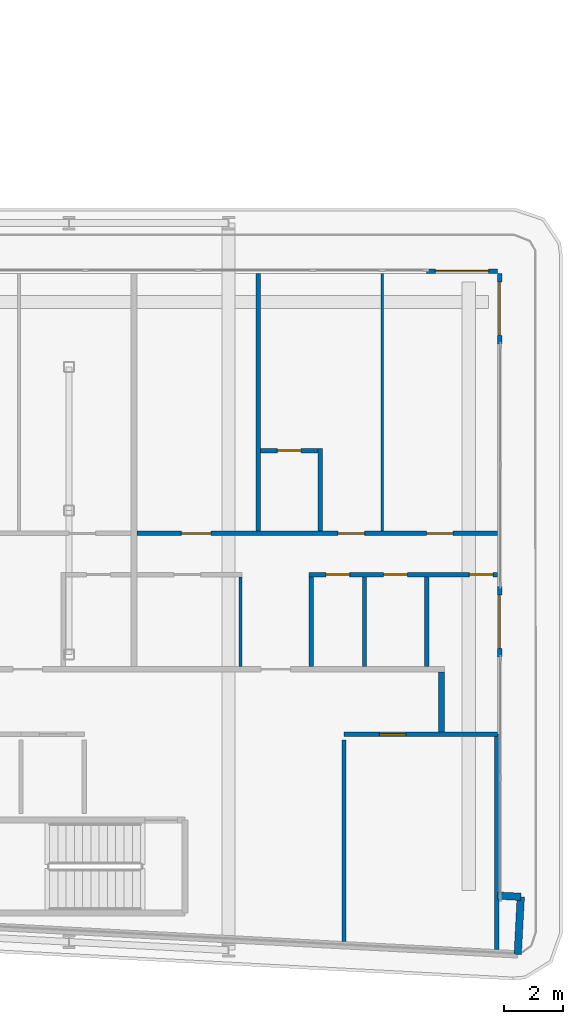
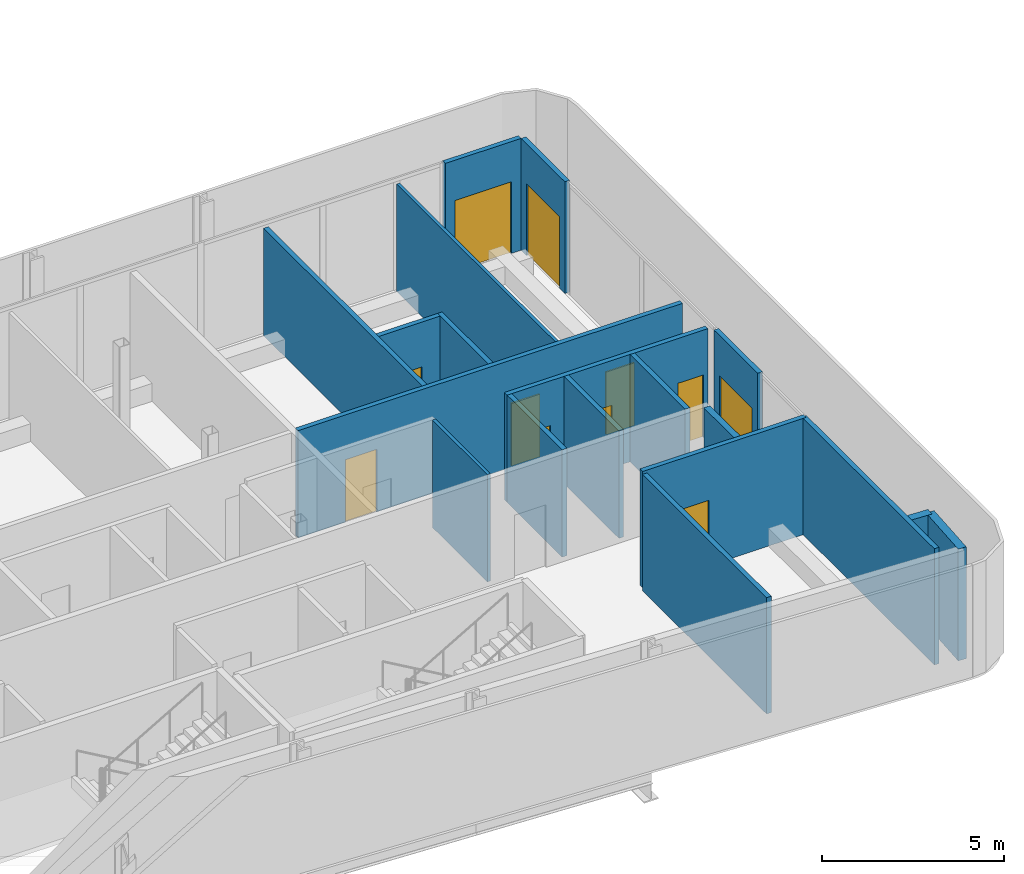
# One storey, part 19 of 27: 19 walls, 11 doors, 11 openings.
"""IFC4 building model written with IfcOpenShell, lengths in metres."""

import ifcopenshell
import ifcopenshell.guid

model = None  # the IFC model being written
_history = None  # IfcOwnerHistory: only IFC2X3 demands one
_inside = {}  # id of a spatial element -> (the spatial element, [elements in it])
_under = {}  # id of a project, library or spatial element -> (it, [spatial elements below it])
_declared = {}  # id of a project -> (the project, [libraries it declares])
_typed = {}  # id of a type object -> (the type object, [elements of that type])
_made_of = {}  # id of a material, layer set ... -> (it, [elements and type objects made of it])


def new_model(schema):
    """Start an empty IFC model of exactly this schema.

    Asked for "IFC4X3", IfcOpenShell would pick the latest addendum, in which some entities
    have other attributes; the version numbers below select the first issue.
    IFC2X3 requires an IfcOwnerHistory on every rooted entity: one is made here for all.
    """
    global model, _history
    if schema == "IFC4X3":
        model = ifcopenshell.file(schema_version=(4, 3, 0, 0))
    else:
        model = ifcopenshell.file(schema=schema)
    _inside.clear()
    _under.clear()
    _declared.clear()
    _typed.clear()
    _made_of.clear()
    _history = None
    if model.schema == "IFC2X3":
        org = make("IfcOrganization", Name="unknown")
        user = make(
            "IfcPersonAndOrganization",
            ThePerson=make("IfcPerson", FamilyName="unknown"),
            TheOrganization=org,
        )
        app = make(
            "IfcApplication",
            ApplicationDeveloper=org,
            Version="unknown",
            ApplicationFullName="unknown",
            ApplicationIdentifier="unknown",
        )
        _history = make(
            "IfcOwnerHistory",
            OwningUser=user,
            OwningApplication=app,
            ChangeAction="ADDED",
            CreationDate=0,
        )
    return model


def make(cls, **values):
    """One entity of the class cls with the attributes given. An attribute that is None is left unset."""
    return model.create_entity(
        cls, **{name: value for name, value in values.items() if value is not None}
    )


def rooted(cls, **values):
    """An entity with a GlobalId (a new one), such as an element, a storey or a relation."""
    return make(cls, GlobalId=ifcopenshell.guid.new(), OwnerHistory=_history, **values)


def si_unit(unit_type, name, prefix=None):
    """IfcSIUnit, for example si_unit("LENGTHUNIT", "METRE", prefix="MILLI")."""
    return make("IfcSIUnit", UnitType=unit_type, Prefix=prefix, Name=name)


def assignment(units):
    """IfcUnitAssignment: the units of a project."""
    return None if units is None else make("IfcUnitAssignment", Units=units)


def point(xyz):
    """IfcCartesianPoint."""
    return None if xyz is None else make("IfcCartesianPoint", Coordinates=xyz)


def direction(xyz):
    """IfcDirection."""
    return None if xyz is None else make("IfcDirection", DirectionRatios=xyz)


def frame(location, z_axis=None, x_axis=None):
    """IfcAxis2Placement3D, a coordinate frame: its origin and axes. An axis left out is left unset."""
    return make(
        "IfcAxis2Placement3D",
        Location=point(location),
        Axis=direction(z_axis),
        RefDirection=direction(x_axis),
    )


def frame_2d(location, x_axis=None):
    """IfcAxis2Placement2D, a coordinate frame in the plane: its origin and x axis."""
    return make(
        "IfcAxis2Placement2D", Location=point(location), RefDirection=direction(x_axis)
    )


def origin():
    """The frame at (0, 0, 0) with its axes left unset."""
    return frame((0.0, 0.0, 0.0))


def place(relative_to, where):
    """IfcLocalPlacement: puts the frame where relative to a parent placement (None: the world)."""
    return make(
        "IfcLocalPlacement", PlacementRelTo=relative_to, RelativePlacement=where
    )


def context(
    kind, dimensions, precision=None, world=None, true_north=None, identifier=None
):
    """IfcGeometricRepresentationContext, for example the 3D "Model" context."""
    return make(
        "IfcGeometricRepresentationContext",
        ContextIdentifier=identifier,
        ContextType=kind,
        CoordinateSpaceDimension=dimensions,
        Precision=precision,
        WorldCoordinateSystem=world,
        TrueNorth=true_north,
    )


def subcontext(parent, identifier, kind, view, scale=None):
    """IfcGeometricRepresentationSubContext, for example "Body" below "Model"."""
    return make(
        "IfcGeometricRepresentationSubContext",
        ContextIdentifier=identifier,
        ContextType=kind,
        ParentContext=parent,
        TargetScale=scale,
        TargetView=view,
    )


def project(units=None, contexts=None):
    """IfcProject with its units and contexts."""
    return rooted(
        "IfcProject",
        Name="project",
        RepresentationContexts=contexts,
        UnitsInContext=assignment(units),
    )


def spatial(cls, under=None, at=None, **own):
    """A site, building, storey or space (cls), placed at a placement, below another one or the project."""
    s = rooted(cls, ObjectPlacement=at, **own)
    if under is not None:
        _under.setdefault(under.id(), (under, []))[1].append(s)
    return s


def profile(cls, at=None, kind="AREA", **sizes):
    """A parametric profile (cls). Its sizes go by their IFC names, for example OverallWidth=200.0."""
    return make(cls, ProfileType=kind, Position=at, **sizes)


def rectangle(**sizes):
    """IfcRectangleProfileDef."""
    return profile("IfcRectangleProfileDef", **sizes)


def extrude(swept, where, along, depth):
    """IfcExtrudedAreaSolid: the profile swept, set in the frame where, extruded along a direction by depth."""
    return make(
        "IfcExtrudedAreaSolid",
        SweptArea=swept,
        Position=where,
        ExtrudedDirection=direction(along),
        Depth=depth,
    )


def shape(context_of_items, identifier, shape_type, items):
    """IfcShapeRepresentation: the items that make up one representation, for example the "Body"."""
    return make(
        "IfcShapeRepresentation",
        ContextOfItems=context_of_items,
        RepresentationIdentifier=identifier,
        RepresentationType=shape_type,
        Items=items,
    )


def source(mapping_origin, context_of_items, identifier, shape_type, items):
    """IfcRepresentationMap: a shape defined once, which mapped items show again and again."""
    return make(
        "IfcRepresentationMap",
        MappingOrigin=mapping_origin,
        MappedRepresentation=shape(context_of_items, identifier, shape_type, items),
    )


def transform(
    local_origin,
    x_axis=None,
    y_axis=None,
    z_axis=None,
    scale=None,
    scale2=None,
    scale3=None,
    uniform=True,
):
    """IfcCartesianTransformationOperator3D, or its non-uniform kind. x_axis, y_axis, z_axis: its Axis1, 2, 3."""
    if uniform:
        return make(
            "IfcCartesianTransformationOperator3D",
            Axis1=direction(x_axis),
            Axis2=direction(y_axis),
            LocalOrigin=point(local_origin),
            Scale=scale,
            Axis3=direction(z_axis),
        )
    return make(
        "IfcCartesianTransformationOperator3DnonUniform",
        Axis1=direction(x_axis),
        Axis2=direction(y_axis),
        LocalOrigin=point(local_origin),
        Scale=scale,
        Axis3=direction(z_axis),
        Scale2=scale2,
        Scale3=scale3,
    )


def mapped(mapping_source, mapping_target):
    """IfcMappedItem: shows the shape of a source again, moved by a transform."""
    return make(
        "IfcMappedItem", MappingSource=mapping_source, MappingTarget=mapping_target
    )


def material(Name=None, Category=None):
    """IfcMaterial."""
    return make("IfcMaterial", Name=Name, Category=Category)


def layer(
    of_material, thickness, ventilated=None, Name=None, Category=None, Priority=None
):
    """IfcMaterialLayer: one layer of a wall or slab, of a material (None: an air gap)."""
    return make(
        "IfcMaterialLayer",
        Material=of_material,
        LayerThickness=thickness,
        IsVentilated=ventilated,
        Name=Name,
        Category=Category,
        Priority=Priority,
    )


def layer_set(layers, Name=None):
    """IfcMaterialLayerSet."""
    return make("IfcMaterialLayerSet", MaterialLayers=layers, LayerSetName=Name)


def made_of(thing, what):
    """Note that an element or type object is made of a material, layer set ...; save() writes the relation."""
    if what is not None:
        _made_of.setdefault(what.id(), (what, []))[1].append(thing)
    return thing


def type_object(cls, material=None, **own):
    """A type object (cls), such as IfcWallType, which elements share."""
    return made_of(rooted(cls, **own), material)


def element(
    cls,
    number,
    at=None,
    inside=None,
    cuts=None,
    type_object=None,
    material=None,
    context=None,
    identifier="Body",
    shape_type=None,
    held_by="IfcProductDefinitionShape",
    body=None,
    shapes=None,
    **own,
):
    """One element of the class cls, such as IfcWall. Its Tag is "e" and its number.

    at: its placement. inside: the storey or other place that contains it. cuts: it is an
    opening in that element (IfcRelVoidsElement). A single representation is given by context,
    identifier, shape_type and body (its items); several are given by shapes. held_by: the class
    of the entity that holds the representations. save() writes the other relations.
    """
    e = rooted(cls, Tag="e%d" % number, ObjectPlacement=at, **own)
    if body is not None:
        shapes = [shape(context, identifier, shape_type, body)]
    if shapes is not None:
        e.Representation = make(held_by, Representations=shapes)
    if inside is not None:
        _inside.setdefault(inside.id(), (inside, []))[1].append(e)
    if cuts is not None:
        rooted(
            "IfcRelVoidsElement", RelatingBuildingElement=cuts, RelatedOpeningElement=e
        )
    if type_object is not None:
        _typed.setdefault(type_object.id(), (type_object, []))[1].append(e)
    return made_of(e, material)


def fill(opening, filler):
    """IfcRelFillsElement: the door or window that sits in an opening."""
    return rooted(
        "IfcRelFillsElement",
        RelatingOpeningElement=opening,
        RelatedBuildingElement=filler,
    )


def aggregate(whole, parts):
    """IfcRelAggregates: a whole, such as a stair, and the parts it consists of."""
    return rooted("IfcRelAggregates", RelatingObject=whole, RelatedObjects=parts)


def save(model, path):
    """Write the relations noted so far, then the file.

    IfcRelAggregates (storeys below a building ...), IfcRelContainedInSpatialStructure (elements
    in a storey), IfcRelDefinesByType, IfcRelAssociatesMaterial and IfcRelDeclares: one each for
    every whole, place, type object, material and project.
    """
    for whole, parts in _under.values():
        aggregate(whole, parts)
    for where, things in _inside.values():
        rooted(
            "IfcRelContainedInSpatialStructure",
            RelatedElements=things,
            RelatingStructure=where,
        )
    for kind, things in _typed.values():
        rooted("IfcRelDefinesByType", RelatedObjects=things, RelatingType=kind)
    for what, things in _made_of.values():
        rooted("IfcRelAssociatesMaterial", RelatedObjects=things, RelatingMaterial=what)
    for by, libraries in _declared.values():
        rooted("IfcRelDeclares", RelatingContext=by, RelatedDefinitions=libraries)
    model.write(path)


model = new_model("IFC4")

# Units and contexts
model_context = context("Model", 3, precision=1e-05, world=origin(), true_north=direction((0.0, 1.0)))
body_context = subcontext(model_context, "Body", "Model", "MODEL_VIEW")
ifc_project = project(units=[si_unit("LENGTHUNIT", "METRE"), si_unit("AREAUNIT", "SQUARE_METRE"), si_unit("VOLUMEUNIT", "CUBIC_METRE"), si_unit("PLANEANGLEUNIT", "RADIAN"), si_unit("MASSUNIT", "GRAM", prefix="KILO")], contexts=[model_context])

# Site, building, storey
site_placement = place(None, origin())
site = spatial("IfcSite", under=ifc_project, at=site_placement, CompositionType="ELEMENT")
building_placement = place(site_placement, origin())
building = spatial("IfcBuilding", under=site, at=building_placement, Name="Kheshtan School and Residences Tower", CompositionType="ELEMENT")
storey_placement = place(building_placement, frame((0.0, 0.0, 101.89990234375)))
storey = spatial("IfcBuildingStorey", under=building, at=storey_placement, Name="L23", CompositionType="ELEMENT", Elevation=101.89990234375)

# Walls
ifc_material_1 = material(Name="Gypsum board on steel studs with fire boards", Category="steel")
ifc_layer_1 = layer(ifc_material_1, 0.199951171875)
ifc_layer_set_1 = layer_set([ifc_layer_1], Name="Corridor wall 200")
wall_type_1 = type_object("IfcWallType", Name="Corridor wall 200", PredefinedType="PARTITIONING", material=ifc_layer_set_1)
wall_1_placement = place(storey_placement, frame((98.0, 28.3740234375, 0.0), z_axis=(0.0, 0.0, 1.0), x_axis=(0.0, 1.0, 0.0)))
element("IfcWall", 1, at=wall_1_placement, inside=storey, type_object=wall_type_1, Name="Partition L23-069", PredefinedType="PARTITIONING", context=body_context, shape_type="SweptSolid", body=[
    extrude(rectangle(XDim=2.02587890625, YDim=0.199951171875, at=frame_2d((1.012939453125, 0.0))), origin(), (0.0, 0.0, 1.0), 3.60009765625),
])
ifc_material_2 = material(Name="Concrete C40/50 with ceramic cladding and mineral wool insulation", Category="concrete")
ifc_layer_2 = layer(ifc_material_2, 0.25)
ifc_layer_set_2 = layer_set([ifc_layer_2], Name="External wall 250 ceramic clad")
wall_type_2 = type_object("IfcWallType", Name="External wall 250 ceramic clad", PredefinedType="SOLIDWALL", material=ifc_layer_set_2)
wall_2_placement = place(storey_placement, frame((99.906982421875, 22.839111328125, 0.0), z_axis=(0.0, 0.0, 1.0), x_axis=(0.998561284263, -0.053622398031, 0.0)))
element("IfcWall", 2, at=wall_2_placement, inside=storey, type_object=wall_type_2, Name="External wall L23 10", PredefinedType="SOLIDWALL", context=body_context, shape_type="SweptSolid", body=[
    extrude(rectangle(XDim=0.783203125, YDim=0.25, at=frame_2d((0.3916015625, 0.0))), origin(), (0.0, 0.0, 1.0), 3.75),
])
wall_3_placement = place(storey_placement, frame((100.68896484375, 22.797119140625, 0.0), z_axis=(0.0, 0.0, 1.0), x_axis=(-0.052841433274, -0.998602915542, 0.0)))
element("IfcWall", 3, at=wall_3_placement, inside=storey, type_object=wall_type_2, Name="External wall L23 11", PredefinedType="SOLIDWALL", context=body_context, shape_type="SweptSolid", body=[
    extrude(rectangle(XDim=1.94970703125, YDim=0.25, at=frame_2d((0.974853515625, 0.0))), origin(), (0.0, 0.0, 1.0), 3.75),
])

# Wall, opening, door
ifc_material_3 = material(Name="Aluminium frame wall with insulated infill", Category="aluminium")
ifc_layer_3 = layer(ifc_material_3, 0.14990234375)
ifc_layer_set_3 = layer_set([ifc_layer_3], Name="Glazing frame wall 150")
wall_type_3 = type_object("IfcWallType", Name="Glazing frame wall 150", PredefinedType="SOLIDWALL", material=ifc_layer_set_3)
wall_4_placement = place(storey_placement, frame((97.5, 43.97509765625, 0.0), z_axis=(0.0, 0.0, 1.0), x_axis=(1.0, 0.0, 0.0)))
wall_4 = element("IfcWall", 4, at=wall_4_placement, inside=storey, type_object=wall_type_3, Name="Balcony door wall L23 8.5", PredefinedType="SOLIDWALL", context=body_context, shape_type="SweptSolid", body=[
    extrude(rectangle(XDim=2.39990234375, YDim=0.14990234375, at=frame_2d((1.199951171875, 0.0))), origin(), (0.0, 0.0, 1.0), 3.75),
])
opening_1_placement = place(wall_4_placement, frame((0.300048828125, 0.0, 0.0)))
opening_1 = element("IfcOpeningElement", 5, at=opening_1_placement, cuts=wall_4, Name="Opening BD", PredefinedType="OPENING", context=body_context, shape_type="SweptSolid", body=[
    extrude(rectangle(XDim=1.800048828125, YDim=2.39990234375, at=frame_2d((0.89990234375, 1.199951171875))), frame((0.0, 0.0849609375, 0.0), z_axis=(0.0, -1.0, 0.0), x_axis=(1.0, 0.0, 0.0)), (0.0, 0.0, 1.0), 0.169921875),
])
ifc_material_4 = material(Name="Clear low-e glass in thermally broken aluminium frame", Category="aluminium")
door_type_1 = type_object("IfcDoorType", Name="Balcony sliding door", OperationType="SLIDING_TO_LEFT", PredefinedType="DOOR", material=ifc_material_4)
shared_shape_1 = source(origin(), body_context, "Body", "SweptSolid", [
    extrude(rectangle(XDim=1.800048828125, YDim=2.39990234375, at=frame_2d((0.89990234375, 1.199951171875))), frame((0.0, 0.02490234375, 0.0), z_axis=(0.0, -1.0, 0.0), x_axis=(1.0, 0.0, 0.0)), (0.0, 0.0, 1.0), 0.050048828125),
])
door_1_placement = place(opening_1_placement, origin())
door_1 = element("IfcDoor", 6, at=door_1_placement, inside=storey, type_object=door_type_1, Name="Balcony door L23 8.5", OperationType="SLIDING_TO_LEFT", OverallHeight=2.39990234375, OverallWidth=1.800048828125, PredefinedType="DOOR", context=body_context, shape_type="MappedRepresentation", body=[
    mapped(shared_shape_1, transform((0.0, 0.0, 0.0), x_axis=(1.0, 0.0, 0.0), y_axis=(0.0, 1.0, 0.0), z_axis=(0.0, 0.0, 1.0), scale=1.0)),
])
fill(opening_1, door_1)

wall_5_placement = place(storey_placement, frame((99.97509765625, 43.89990234375, 0.0), z_axis=(0.0, 0.0, 1.0), x_axis=(0.0, -1.0, 0.0)))
wall_5 = element("IfcWall", 7, at=wall_5_placement, inside=storey, type_object=wall_type_3, Name="Balcony door wall L23 9.1", PredefinedType="SOLIDWALL", context=body_context, shape_type="SweptSolid", body=[
    extrude(rectangle(XDim=2.39990234375, YDim=0.14990234375, at=frame_2d((1.199951171875, 0.0))), origin(), (0.0, 0.0, 1.0), 3.75),
])
opening_2_placement = place(wall_5_placement, frame((0.300048828125, 0.0, 0.0)))
opening_2 = element("IfcOpeningElement", 8, at=opening_2_placement, cuts=wall_5, Name="Opening BD", PredefinedType="OPENING", context=body_context, shape_type="SweptSolid", body=[
    extrude(rectangle(XDim=1.800048828125, YDim=2.39990234375, at=frame_2d((0.89990234375, 1.199951171875))), frame((0.0, 0.0849609375, 0.0), z_axis=(0.0, -1.0, 0.0), x_axis=(1.0, 0.0, 0.0)), (0.0, 0.0, 1.0), 0.169921875),
])
door_2_placement = place(opening_2_placement, origin())
door_2 = element("IfcDoor", 9, at=door_2_placement, inside=storey, type_object=door_type_1, Name="Balcony door L23 9.1", OperationType="SLIDING_TO_LEFT", OverallHeight=2.39990234375, OverallWidth=1.800048828125, PredefinedType="DOOR", context=body_context, shape_type="MappedRepresentation", body=[
    mapped(shared_shape_1, transform((0.0, 0.0, 0.0), x_axis=(1.0, 0.0, 0.0), y_axis=(0.0, 1.0, 0.0), z_axis=(0.0, 0.0, 1.0), scale=1.0)),
])
fill(opening_2, door_2)

wall_6_placement = place(storey_placement, frame((99.97509765625, 33.306884765625, 0.0), z_axis=(0.0, 0.0, 1.0), x_axis=(0.0, -1.0, 0.0)))
wall_6 = element("IfcWall", 10, at=wall_6_placement, inside=storey, type_object=wall_type_3, Name="Balcony door wall L23 9.2", PredefinedType="SOLIDWALL", context=body_context, shape_type="SweptSolid", body=[
    extrude(rectangle(XDim=2.39990234375, YDim=0.14990234375, at=frame_2d((1.199951171875, 0.0))), origin(), (0.0, 0.0, 1.0), 3.75),
])
opening_3_placement = place(wall_6_placement, frame((0.300048828125, 0.0, 0.0)))
opening_3 = element("IfcOpeningElement", 11, at=opening_3_placement, cuts=wall_6, Name="Opening BD", PredefinedType="OPENING", context=body_context, shape_type="SweptSolid", body=[
    extrude(rectangle(XDim=1.800048828125, YDim=2.39990234375, at=frame_2d((0.89990234375, 1.199951171875))), frame((0.0, 0.0849609375, 0.0), z_axis=(0.0, -1.0, 0.0), x_axis=(1.0, 0.0, 0.0)), (0.0, 0.0, 1.0), 0.169921875),
])
door_3_placement = place(opening_3_placement, origin())
door_3 = element("IfcDoor", 12, at=door_3_placement, inside=storey, type_object=door_type_1, Name="Balcony door L23 9.2", OperationType="SLIDING_TO_LEFT", OverallHeight=2.39990234375, OverallWidth=1.800048828125, PredefinedType="DOOR", context=body_context, shape_type="MappedRepresentation", body=[
    mapped(shared_shape_1, transform((0.0, 0.0, 0.0), x_axis=(1.0, 0.0, 0.0), y_axis=(0.0, 1.0, 0.0), z_axis=(0.0, 0.0, 1.0), scale=1.0)),
])
fill(opening_3, door_3)

# Walls
ifc_material_5 = material(Name="Gypsum board on steel studs", Category="steel")
ifc_layer_4 = layer(ifc_material_5, 0.10009765625)
ifc_layer_set_4 = layer_set([ifc_layer_4], Name="Gypsum partition 100")
wall_type_4 = type_object("IfcWallType", Name="Gypsum partition 100", PredefinedType="PARTITIONING", material=ifc_layer_set_4)
wall_7_placement = place(storey_placement, frame((91.199951171875, 30.60009765625, 0.0), z_axis=(0.0, 0.0, 1.0), x_axis=(0.0, 1.0, 0.0)))
element("IfcWall", 13, at=wall_7_placement, inside=storey, type_object=wall_type_4, Name="Partition L23-060", PredefinedType="PARTITIONING", context=body_context, shape_type="SweptSolid", body=[
    extrude(rectangle(XDim=3.02490234375, YDim=0.10009765625, at=frame_2d((1.512451171875, 0.0))), origin(), (0.0, 0.0, 1.0), 3.60009765625),
])
wall_8_placement = place(storey_placement, frame((96.0, 35.175048828125, 0.0), z_axis=(0.0, 0.0, 1.0), x_axis=(0.0, 1.0, 0.0)))
element("IfcWall", 14, at=wall_8_placement, inside=storey, type_object=wall_type_4, Name="Partition L23-067", PredefinedType="PARTITIONING", context=body_context, shape_type="SweptSolid", body=[
    extrude(rectangle(XDim=8.724853515625, YDim=0.10009765625, at=frame_2d((4.3623046875, 0.0))), origin(), (0.0, 0.0, 1.0), 3.60009765625),
])
ifc_material_6 = material(Name="Fire-board shaft wall system")
ifc_layer_5 = layer(ifc_material_6, 0.14990234375)
ifc_layer_set_5 = layer_set([ifc_layer_5], Name="Service room wall 150")
wall_type_5 = type_object("IfcWallType", Name="Service room wall 150", PredefinedType="PARTITIONING", material=ifc_layer_set_5)
wall_9_placement = place(storey_placement, frame((99.8701171875, 21.014892578125, 0.0), z_axis=(0.0, 0.0, 1.0), x_axis=(0.0, 1.0, 0.0)))
element("IfcWall", 15, at=wall_9_placement, inside=storey, type_object=wall_type_5, Name="Service room wall", PredefinedType="PARTITIONING", context=body_context, shape_type="SweptSolid", body=[
    extrude(rectangle(XDim=7.28515625, YDim=0.14990234375, at=frame_2d((3.642578125, 0.0))), origin(), (0.0, 0.0, 1.0), 3.900146484375),
])

# Wall, opening, door
wall_10_placement = place(storey_placement, frame((94.7060546875, 28.300048828125, 0.0), z_axis=(0.0, 0.0, 1.0), x_axis=(1.0, 0.0, 0.0)))
wall_10 = element("IfcWall", 16, at=wall_10_placement, inside=storey, type_object=wall_type_5, Name="Service room wall", PredefinedType="PARTITIONING", context=body_context, shape_type="SweptSolid", body=[
    extrude(rectangle(XDim=5.19189453125, YDim=0.14990234375, at=frame_2d((2.595947265625, 0.0))), origin(), (0.0, 0.0, 1.0), 3.900146484375),
])
opening_4_placement = place(wall_10_placement, frame((1.197021484375, 0.0, 0.0)))
opening_4 = element("IfcOpeningElement", 17, at=opening_4_placement, cuts=wall_10, Name="Opening SR90", PredefinedType="OPENING", context=body_context, shape_type="SweptSolid", body=[
    extrude(rectangle(XDim=0.89990234375, YDim=2.199951171875, at=frame_2d((0.449951171875, 1.10009765625))), frame((0.0, 0.0849609375, 0.0), z_axis=(0.0, -1.0, 0.0), x_axis=(1.0, 0.0, 0.0)), (0.0, 0.0, 1.0), 0.169921875),
])
ifc_material_7 = material(Name="Steel door leaf, galvanised", Category="steel")
door_type_2 = type_object("IfcDoorType", Name="Service room door 900 steel 90 min", OperationType="SINGLE_SWING_LEFT", PredefinedType="DOOR", material=ifc_material_7)
shared_shape_2 = source(origin(), body_context, "Body", "SweptSolid", [
    extrude(rectangle(XDim=0.89990234375, YDim=2.199951171875, at=frame_2d((0.449951171875, 1.10009765625))), frame((0.0, 0.02490234375, 0.0), z_axis=(0.0, -1.0, 0.0), x_axis=(1.0, 0.0, 0.0)), (0.0, 0.0, 1.0), 0.050048828125),
])
door_4_placement = place(opening_4_placement, origin())
door_4 = element("IfcDoor", 18, at=door_4_placement, inside=storey, type_object=door_type_2, Name="Service room door", OperationType="SINGLE_SWING_LEFT", OverallHeight=2.199951171875, OverallWidth=0.89990234375, PredefinedType="DOOR", context=body_context, shape_type="MappedRepresentation", body=[
    mapped(shared_shape_2, transform((0.0, 0.0, 0.0), x_axis=(1.0, 0.0, 0.0), y_axis=(0.0, 1.0, 0.0), z_axis=(0.0, 0.0, 1.0), scale=1.0)),
])
fill(opening_4, door_4)

# Wall
wall_11_placement = place(storey_placement, frame((94.7060546875, 21.287109375, 0.0), z_axis=(0.0, 0.0, 1.0), x_axis=(0.0, 1.0, 0.0)))
element("IfcWall", 19, at=wall_11_placement, inside=storey, type_object=wall_type_5, Name="Service room wall", PredefinedType="PARTITIONING", context=body_context, shape_type="SweptSolid", body=[
    extrude(rectangle(XDim=6.81787109375, YDim=0.14990234375, at=frame_2d((3.408935546875, 0.0))), origin(), (0.0, 0.0, 1.0), 3.900146484375),
])

# Wall, openings, doors
ifc_material_8 = material(Name="Moisture-resistant gypsum board on steel studs", Category="steel")
ifc_layer_6 = layer(ifc_material_8, 0.14990234375)
ifc_layer_set_6 = layer_set([ifc_layer_6], Name="Wet-room partition 150")
wall_type_6 = type_object("IfcWallType", Name="Wet-room partition 150", PredefinedType="PARTITIONING", material=ifc_layer_set_6)
wall_12_placement = place(storey_placement, frame((87.699951171875, 35.10009765625, 0.0), z_axis=(0.0, 0.0, 1.0), x_axis=(1.0, 0.0, 0.0)))
wall_12 = element("IfcWall", 20, at=wall_12_placement, inside=storey, type_object=wall_type_6, Name="Partition L23-059", PredefinedType="PARTITIONING", context=body_context, shape_type="SweptSolid", body=[
    extrude(rectangle(XDim=12.199951171875, YDim=0.14990234375, at=frame_2d((6.10009765625, 0.0))), origin(), (0.0, 0.0, 1.0), 3.60009765625),
])
opening_5_placement = place(wall_12_placement, frame((9.800048828125, 0.0, 0.0)))
opening_5 = element("IfcOpeningElement", 21, at=opening_5_placement, cuts=wall_12, Name="Opening D23-023", PredefinedType="OPENING", context=body_context, shape_type="SweptSolid", body=[
    extrude(rectangle(XDim=0.89990234375, YDim=2.10009765625, at=frame_2d((0.449951171875, 1.050048828125))), frame((0.0, 0.0849609375, 0.0), z_axis=(0.0, -1.0, 0.0), x_axis=(1.0, 0.0, 0.0)), (0.0, 0.0, 1.0), 0.169921875),
])
opening_6_placement = place(wall_12_placement, frame((1.5, 0.0, 0.0)))
opening_6 = element("IfcOpeningElement", 22, at=opening_6_placement, cuts=wall_12, Name="Opening D23-028", PredefinedType="OPENING", context=body_context, shape_type="SweptSolid", body=[
    extrude(rectangle(XDim=1.0, YDim=2.10009765625, at=frame_2d((0.5, 1.050048828125))), frame((0.0, 0.0849609375, 0.0), z_axis=(0.0, -1.0, 0.0), x_axis=(1.0, 0.0, 0.0)), (0.0, 0.0, 1.0), 0.169921875),
])
opening_7_placement = place(wall_12_placement, frame((6.800048828125, 0.0, 0.0)))
opening_7 = element("IfcOpeningElement", 23, at=opening_7_placement, cuts=wall_12, Name="Opening D23-029", PredefinedType="OPENING", context=body_context, shape_type="SweptSolid", body=[
    extrude(rectangle(XDim=0.89990234375, YDim=2.10009765625, at=frame_2d((0.449951171875, 1.050048828125))), frame((0.0, 0.0849609375, 0.0), z_axis=(0.0, -1.0, 0.0), x_axis=(1.0, 0.0, 0.0)), (0.0, 0.0, 1.0), 0.169921875),
])
ifc_material_9 = material(Name="Veneered timber door leaf", Category="wood")
door_type_3 = type_object("IfcDoorType", Name="Door 1000 x 2100", OperationType="SINGLE_SWING_LEFT", PredefinedType="DOOR", material=ifc_material_9)
shared_shape_3 = source(origin(), body_context, "Body", "SweptSolid", [
    extrude(rectangle(XDim=1.0, YDim=2.10009765625, at=frame_2d((0.5, 1.050048828125))), frame((0.0, 0.02490234375, 0.0), z_axis=(0.0, -1.0, 0.0), x_axis=(1.0, 0.0, 0.0)), (0.0, 0.0, 1.0), 0.050048828125),
])
door_5_placement = place(opening_6_placement, origin())
door_5 = element("IfcDoor", 24, at=door_5_placement, inside=storey, type_object=door_type_3, Name="Door D23-028", OperationType="SINGLE_SWING_RIGHT", OverallHeight=2.10009765625, OverallWidth=1.0, PredefinedType="DOOR", context=body_context, shape_type="MappedRepresentation", body=[
    mapped(shared_shape_3, transform((0.0, 0.0, 0.0), x_axis=(1.0, 0.0, 0.0), y_axis=(0.0, 1.0, 0.0), z_axis=(0.0, 0.0, 1.0), scale=1.0)),
])
fill(opening_6, door_5)
door_type_4 = type_object("IfcDoorType", Name="Door 900 x 2100", OperationType="SINGLE_SWING_LEFT", PredefinedType="DOOR", material=ifc_material_9)
shared_shape_4 = source(origin(), body_context, "Body", "SweptSolid", [
    extrude(rectangle(XDim=0.89990234375, YDim=2.10009765625, at=frame_2d((0.449951171875, 1.050048828125))), frame((0.0, 0.02490234375, 0.0), z_axis=(0.0, -1.0, 0.0), x_axis=(1.0, 0.0, 0.0)), (0.0, 0.0, 1.0), 0.050048828125),
])
door_6_placement = place(opening_5_placement, origin())
door_6 = element("IfcDoor", 25, at=door_6_placement, inside=storey, type_object=door_type_4, Name="Door D23-023", OperationType="SINGLE_SWING_LEFT", OverallHeight=2.10009765625, OverallWidth=0.89990234375, PredefinedType="DOOR", context=body_context, shape_type="MappedRepresentation", body=[
    mapped(shared_shape_4, transform((0.0, 0.0, 0.0), x_axis=(1.0, 0.0, 0.0), y_axis=(0.0, 1.0, 0.0), z_axis=(0.0, 0.0, 1.0), scale=1.0)),
])
fill(opening_5, door_6)
door_7_placement = place(opening_7_placement, origin())
door_7 = element("IfcDoor", 26, at=door_7_placement, inside=storey, type_object=door_type_4, Name="Door D23-029", OperationType="SINGLE_SWING_LEFT", OverallHeight=2.10009765625, OverallWidth=0.89990234375, PredefinedType="DOOR", context=body_context, shape_type="MappedRepresentation", body=[
    mapped(shared_shape_4, transform((0.0, 0.0, 0.0), x_axis=(1.0, 0.0, 0.0), y_axis=(0.0, 1.0, 0.0), z_axis=(0.0, 0.0, 1.0), scale=1.0)),
])
fill(opening_7, door_7)

# Wall
wall_13_placement = place(storey_placement, frame((91.800048828125, 35.175048828125, 0.0), z_axis=(0.0, 0.0, 1.0), x_axis=(0.0, 1.0, 0.0)))
element("IfcWall", 27, at=wall_13_placement, inside=storey, type_object=wall_type_6, Name="Partition L23-061", PredefinedType="PARTITIONING", context=body_context, shape_type="SweptSolid", body=[
    extrude(rectangle(XDim=8.724853515625, YDim=0.14990234375, at=frame_2d((4.3623046875, 0.0))), origin(), (0.0, 0.0, 1.0), 3.60009765625),
])

# Wall, opening, door
wall_14_placement = place(storey_placement, frame((91.875, 37.89990234375, 0.0), z_axis=(0.0, 0.0, 1.0), x_axis=(1.0, 0.0, 0.0)))
wall_14 = element("IfcWall", 28, at=wall_14_placement, inside=storey, type_object=wall_type_6, Name="Partition L23-062", PredefinedType="PARTITIONING", context=body_context, shape_type="SweptSolid", body=[
    extrude(rectangle(XDim=1.949951171875, YDim=0.14990234375, at=frame_2d((0.97509765625, 0.0))), origin(), (0.0, 0.0, 1.0), 3.60009765625),
])
opening_8_placement = place(wall_14_placement, frame((0.574951171875, 0.0, 0.0)))
opening_8 = element("IfcOpeningElement", 29, at=opening_8_placement, cuts=wall_14, Name="Opening D23-024", PredefinedType="OPENING", context=body_context, shape_type="SweptSolid", body=[
    extrude(rectangle(XDim=0.800048828125, YDim=2.10009765625, at=frame_2d((0.39990234375, 1.050048828125))), frame((0.0, 0.0849609375, 0.0), z_axis=(0.0, -1.0, 0.0), x_axis=(1.0, 0.0, 0.0)), (0.0, 0.0, 1.0), 0.169921875),
])
door_type_5 = type_object("IfcDoorType", Name="Door 800 x 2100", OperationType="SINGLE_SWING_LEFT", PredefinedType="DOOR", material=ifc_material_9)
shared_shape_5 = source(origin(), body_context, "Body", "SweptSolid", [
    extrude(rectangle(XDim=0.800048828125, YDim=2.10009765625, at=frame_2d((0.39990234375, 1.050048828125))), frame((0.0, 0.02490234375, 0.0), z_axis=(0.0, -1.0, 0.0), x_axis=(1.0, 0.0, 0.0)), (0.0, 0.0, 1.0), 0.050048828125),
])
door_8_placement = place(opening_8_placement, origin())
door_8 = element("IfcDoor", 30, at=door_8_placement, inside=storey, type_object=door_type_5, Name="Door D23-024", OperationType="SINGLE_SWING_LEFT", OverallHeight=2.10009765625, OverallWidth=0.800048828125, PredefinedType="DOOR", context=body_context, shape_type="MappedRepresentation", body=[
    mapped(shared_shape_5, transform((0.0, 0.0, 0.0), x_axis=(1.0, 0.0, 0.0), y_axis=(0.0, 1.0, 0.0), z_axis=(0.0, 0.0, 1.0), scale=1.0)),
])
fill(opening_8, door_8)

# Wall, openings, doors
wall_15_placement = place(storey_placement, frame((93.52490234375, 33.699951171875, 0.0), z_axis=(0.0, 0.0, 1.0), x_axis=(1.0, 0.0, 0.0)))
wall_15 = element("IfcWall", 31, at=wall_15_placement, inside=storey, type_object=wall_type_6, Name="Partition L23-063", PredefinedType="PARTITIONING", context=body_context, shape_type="SweptSolid", body=[
    extrude(rectangle(XDim=6.375, YDim=0.14990234375, at=frame_2d((3.1875, 0.0))), origin(), (0.0, 0.0, 1.0), 3.60009765625),
])
opening_9_placement = place(wall_15_placement, frame((5.425048828125, 0.0, 0.0)))
opening_9 = element("IfcOpeningElement", 32, at=opening_9_placement, cuts=wall_15, Name="Opening D23-022", PredefinedType="OPENING", context=body_context, shape_type="SweptSolid", body=[
    extrude(rectangle(XDim=0.800048828125, YDim=2.10009765625, at=frame_2d((0.39990234375, 1.050048828125))), frame((0.0, 0.0849609375, 0.0), z_axis=(0.0, -1.0, 0.0), x_axis=(1.0, 0.0, 0.0)), (0.0, 0.0, 1.0), 0.169921875),
])
opening_10_placement = place(wall_15_placement, frame((2.52490234375, 0.0, 0.0)))
opening_10 = element("IfcOpeningElement", 33, at=opening_10_placement, cuts=wall_15, Name="Opening D23-027", PredefinedType="OPENING", context=body_context, shape_type="SweptSolid", body=[
    extrude(rectangle(XDim=0.800048828125, YDim=2.10009765625, at=frame_2d((0.39990234375, 1.050048828125))), frame((0.0, 0.0849609375, 0.0), z_axis=(0.0, -1.0, 0.0), x_axis=(1.0, 0.0, 0.0)), (0.0, 0.0, 1.0), 0.169921875),
])
opening_11_placement = place(wall_15_placement, frame((0.574951171875, 0.0, 0.0)))
opening_11 = element("IfcOpeningElement", 34, at=opening_11_placement, cuts=wall_15, Name="Opening D23-030", PredefinedType="OPENING", context=body_context, shape_type="SweptSolid", body=[
    extrude(rectangle(XDim=0.800048828125, YDim=2.10009765625, at=frame_2d((0.39990234375, 1.050048828125))), frame((0.0, 0.0849609375, 0.0), z_axis=(0.0, -1.0, 0.0), x_axis=(1.0, 0.0, 0.0)), (0.0, 0.0, 1.0), 0.169921875),
])
door_9_placement = place(opening_9_placement, origin())
door_9 = element("IfcDoor", 35, at=door_9_placement, inside=storey, type_object=door_type_5, Name="Door D23-022", OperationType="SINGLE_SWING_RIGHT", OverallHeight=2.10009765625, OverallWidth=0.800048828125, PredefinedType="DOOR", context=body_context, shape_type="MappedRepresentation", body=[
    mapped(shared_shape_5, transform((0.0, 0.0, 0.0), x_axis=(1.0, 0.0, 0.0), y_axis=(0.0, 1.0, 0.0), z_axis=(0.0, 0.0, 1.0), scale=1.0)),
])
fill(opening_9, door_9)
door_10_placement = place(opening_10_placement, origin())
door_10 = element("IfcDoor", 36, at=door_10_placement, inside=storey, type_object=door_type_5, Name="Door D23-027", OperationType="SINGLE_SWING_RIGHT", OverallHeight=2.10009765625, OverallWidth=0.800048828125, PredefinedType="DOOR", context=body_context, shape_type="MappedRepresentation", body=[
    mapped(shared_shape_5, transform((0.0, 0.0, 0.0), x_axis=(1.0, 0.0, 0.0), y_axis=(0.0, 1.0, 0.0), z_axis=(0.0, 0.0, 1.0), scale=1.0)),
])
fill(opening_10, door_10)
door_11_placement = place(opening_11_placement, origin())
door_11 = element("IfcDoor", 37, at=door_11_placement, inside=storey, type_object=door_type_5, Name="Door D23-030", OperationType="SINGLE_SWING_LEFT", OverallHeight=2.10009765625, OverallWidth=0.800048828125, PredefinedType="DOOR", context=body_context, shape_type="MappedRepresentation", body=[
    mapped(shared_shape_5, transform((0.0, 0.0, 0.0), x_axis=(1.0, 0.0, 0.0), y_axis=(0.0, 1.0, 0.0), z_axis=(0.0, 0.0, 1.0), scale=1.0)),
])
fill(opening_11, door_11)

# Walls
wall_16_placement = place(storey_placement, frame((93.60009765625, 30.60009765625, 0.0), z_axis=(0.0, 0.0, 1.0), x_axis=(0.0, 1.0, 0.0)))
element("IfcWall", 38, at=wall_16_placement, inside=storey, type_object=wall_type_6, Name="Partition L23-064", PredefinedType="PARTITIONING", context=body_context, shape_type="SweptSolid", body=[
    extrude(rectangle(XDim=3.02490234375, YDim=0.14990234375, at=frame_2d((1.512451171875, 0.0))), origin(), (0.0, 0.0, 1.0), 3.60009765625),
])
wall_17_placement = place(storey_placement, frame((93.89990234375, 35.175048828125, 0.0), z_axis=(0.0, 0.0, 1.0), x_axis=(0.0, 1.0, 0.0)))
element("IfcWall", 39, at=wall_17_placement, inside=storey, type_object=wall_type_6, Name="Partition L23-065", PredefinedType="PARTITIONING", context=body_context, shape_type="SweptSolid", body=[
    extrude(rectangle(XDim=2.800048828125, YDim=0.14990234375, at=frame_2d((1.39990234375, 0.0))), origin(), (0.0, 0.0, 1.0), 3.60009765625),
])
for number, where, z_axis, x_axis, name in (
    (40, (95.39990234375, 30.60009765625, 0.0), (0.0, 0.0, 1.0), (0.0, 1.0, 0.0), "Partition L23-066"),
    (41, (97.5, 30.60009765625, 0.0), (0.0, 0.0, 1.0), (0.0, 1.0, 0.0), "Partition L23-068"),
):
    element("IfcWall", number, at=place(storey_placement, frame(where, z_axis=z_axis, x_axis=x_axis)), inside=storey, type_object=wall_type_6, Name=name, PredefinedType="PARTITIONING", context=body_context, shape_type="SweptSolid", body=[
        extrude(rectangle(XDim=3.02490234375, YDim=0.14990234375, at=frame_2d((1.512451171875, 0.0))), origin(), (0.0, 0.0, 1.0), 3.60009765625),
    ])

save(model, "model.ifc")
